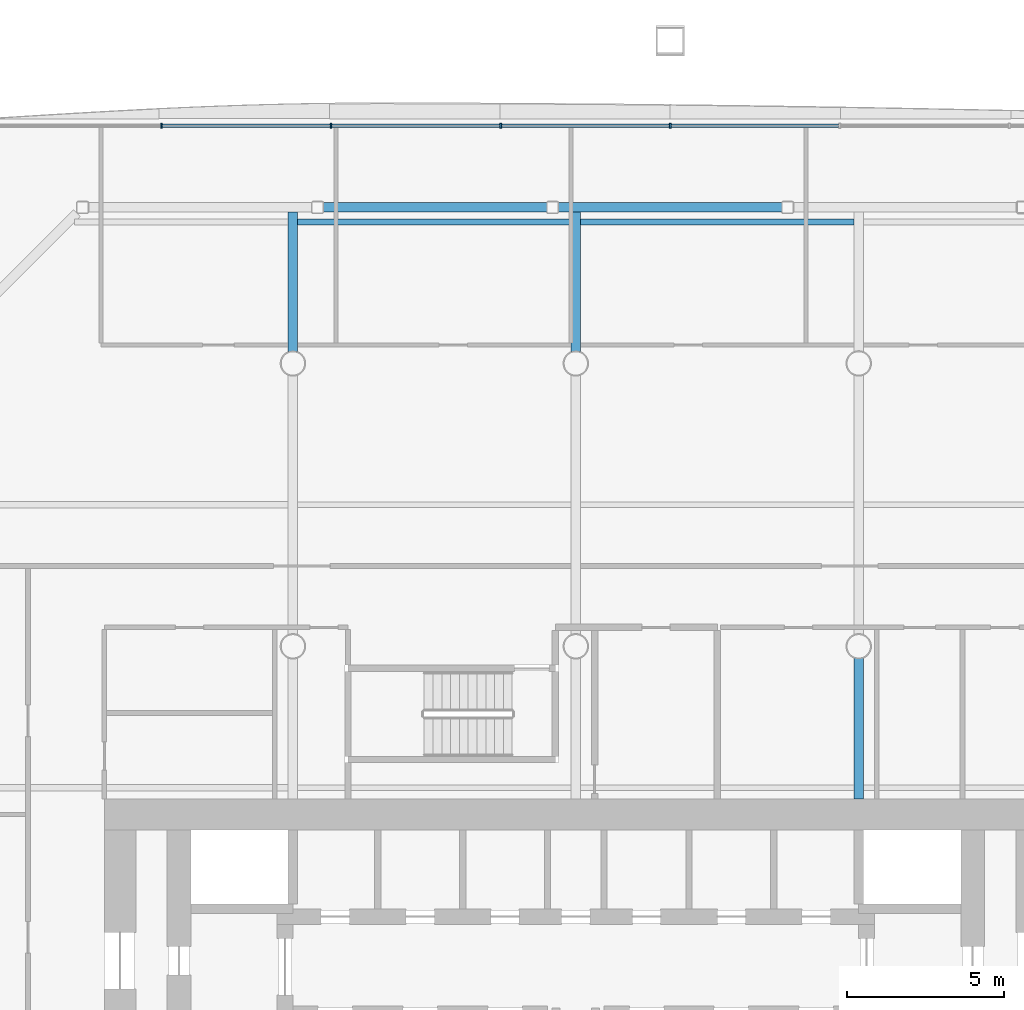
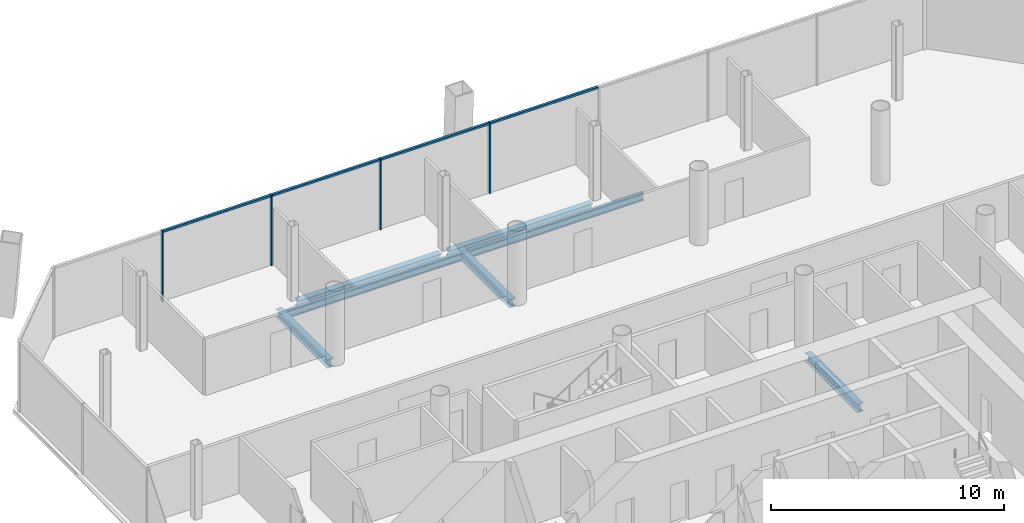
# One storey, part 9 of 20: 8 members, 7 beams, 1 element without a shape of its own.
"""IFC4 building model written with IfcOpenShell, lengths in metres."""

from ifc_helpers import new_model, si_unit, direction, frame, origin, origin_2d, place, context, subcontext, project, spatial, rectangle, i_section, extrude, material, material_profile, profile_set, type_object, element, aggregate, save


model = new_model("IFC4")

# Units and contexts
model_context = context("Model", 3, precision=1e-05, world=origin(), true_north=direction((0.0, 1.0)))
body_context = subcontext(model_context, "Body", "Model", "MODEL_VIEW")
ifc_project = project(units=[si_unit("LENGTHUNIT", "METRE"), si_unit("AREAUNIT", "SQUARE_METRE"), si_unit("VOLUMEUNIT", "CUBIC_METRE"), si_unit("PLANEANGLEUNIT", "RADIAN"), si_unit("MASSUNIT", "GRAM", prefix="KILO")], contexts=[model_context])

# Site, building, storey
site_placement = place(None, origin())
site = spatial("IfcSite", under=ifc_project, at=site_placement, CompositionType="ELEMENT")
building_placement = place(site_placement, origin())
building = spatial("IfcBuilding", under=site, at=building_placement, Name="Tskaro Facet Tower", CompositionType="ELEMENT")
storey_placement = place(building_placement, frame((0.0, 0.0, 69.89990234375)))
storey = spatial("IfcBuildingStorey", under=building, at=storey_placement, Name="L16", CompositionType="ELEMENT", Elevation=69.89990234375)

# Curtain wall, members
ifc_material_1 = material(Name="Bronze anodised aluminium 6063-T6", Category="aluminium")
curtain_wall_type = type_object("IfcCurtainWallType", Name="Bronze office curtain wall (FW1)", PredefinedType="NOTDEFINED", material=ifc_material_1)
curtain_wall_placement = place(storey_placement, origin())
curtain_wall = element("IfcCurtainWall", 1, at=curtain_wall_placement, inside=storey, type_object=curtain_wall_type, Name="FW1 north facet L16", PredefinedType="NOTDEFINED")
ifc_material_profile_1 = material_profile(ifc_material_1, rectangle(XDim=0.06005859375, YDim=0.159912109375, at=origin_2d()), Name="Mullion 60x160")
ifc_profile_set_1 = profile_set([ifc_material_profile_1], Name="Bronze anodised aluminium 6063-T6")
member_type_1 = type_object("IfcMemberType", Name="FW1 bronze mullion 60x160", PredefinedType="MULLION", material=ifc_profile_set_1)
member_1_placement = place(storey_placement, frame((3.0, 25.55908203125, 0.0), z_axis=(0.0, 0.0, 1.0), x_axis=(-1.0, 0.0, 0.0)))
member_1 = element("IfcMember", 2, at=member_1_placement, type_object=member_type_1, Name="FW1 north mullion 4", PredefinedType="MULLION", context=body_context, shape_type="SweptSolid", body=[
    extrude(rectangle(XDim=0.06005859375, YDim=0.159912109375, at=origin_2d()), origin(), (0.0, 0.0, 1.0), 3.7001953125),
])
member_2_placement = place(storey_placement, frame((-2.3935546875, 25.55908203125, 0.0), z_axis=(0.0, 0.0, 1.0), x_axis=(-1.0, 0.0, 0.0)))
member_2 = element("IfcMember", 3, at=member_2_placement, type_object=member_type_1, Name="FW1 north mullion 5", PredefinedType="MULLION", context=body_context, shape_type="SweptSolid", body=[
    extrude(rectangle(XDim=0.06005859375, YDim=0.159912109375, at=origin_2d()), origin(), (0.0, 0.0, 1.0), 3.7001953125),
])
member_3_placement = place(storey_placement, frame((-7.787109375, 25.55908203125, 0.0), z_axis=(0.0, 0.0, 1.0), x_axis=(-1.0, 0.0, 0.0)))
member_3 = element("IfcMember", 4, at=member_3_placement, type_object=member_type_1, Name="FW1 north mullion 6", PredefinedType="MULLION", context=body_context, shape_type="SweptSolid", body=[
    extrude(rectangle(XDim=0.06005859375, YDim=0.159912109375, at=origin_2d()), origin(), (0.0, 0.0, 1.0), 3.7001953125),
])
member_4_placement = place(storey_placement, frame((-13.180419921875, 25.55908203125, 0.0), z_axis=(0.0, 0.0, 1.0), x_axis=(-1.0, 0.0, 0.0)))
member_4 = element("IfcMember", 5, at=member_4_placement, type_object=member_type_1, Name="FW1 north mullion 7", PredefinedType="MULLION", context=body_context, shape_type="SweptSolid", body=[
    extrude(rectangle(XDim=0.06005859375, YDim=0.159912109375, at=origin_2d()), origin(), (0.0, 0.0, 1.0), 3.7001953125),
])
ifc_material_profile_2 = material_profile(ifc_material_1, rectangle(XDim=0.1201171875, YDim=0.10009765625, at=origin_2d()), Name="Transom 120x100")
ifc_profile_set_2 = profile_set([ifc_material_profile_2], Name="Bronze anodised aluminium 6063-T6")
member_type_2 = type_object("IfcMemberType", Name="FW1 bronze transom 120x100", PredefinedType="USERDEFINED", material=ifc_profile_set_2)
member_5_placement = place(storey_placement, frame((8.363525390625, 25.55908203125, 3.650146484375), z_axis=(-1.0, 0.0, 0.0), x_axis=(0.0, -1.0, 0.0)))
member_5 = element("IfcMember", 6, at=member_5_placement, type_object=member_type_2, Name="FW1 north transom 4.1", ObjectType="TRANSOM", PredefinedType="USERDEFINED", context=body_context, shape_type="SweptSolid", body=[
    extrude(rectangle(XDim=0.1201171875, YDim=0.10009765625, at=origin_2d()), origin(), (0.0, 0.0, 1.0), 5.33349609375),
])
member_6_placement = place(storey_placement, frame((2.969970703125, 25.55908203125, 3.650146484375), z_axis=(-1.0, 0.0, 0.0), x_axis=(0.0, -1.0, 0.0)))
member_6 = element("IfcMember", 7, at=member_6_placement, type_object=member_type_2, Name="FW1 north transom 5.1", ObjectType="TRANSOM", PredefinedType="USERDEFINED", context=body_context, shape_type="SweptSolid", body=[
    extrude(rectangle(XDim=0.1201171875, YDim=0.10009765625, at=origin_2d()), origin(), (0.0, 0.0, 1.0), 5.33349609375),
])
member_7_placement = place(storey_placement, frame((-2.423583984375, 25.55908203125, 3.650146484375), z_axis=(-1.0, 0.0, 0.0), x_axis=(0.0, -1.0, 0.0)))
member_7 = element("IfcMember", 8, at=member_7_placement, type_object=member_type_2, Name="FW1 north transom 6.1", ObjectType="TRANSOM", PredefinedType="USERDEFINED", context=body_context, shape_type="SweptSolid", body=[
    extrude(rectangle(XDim=0.1201171875, YDim=0.10009765625, at=origin_2d()), origin(), (0.0, 0.0, 1.0), 5.33349609375),
])
member_8_placement = place(storey_placement, frame((-7.81689453125, 25.55908203125, 3.650146484375), z_axis=(-1.0, 0.0, 0.0), x_axis=(0.0, -1.0, 0.0)))
member_8 = element("IfcMember", 9, at=member_8_placement, type_object=member_type_2, Name="FW1 north transom 7.1", ObjectType="TRANSOM", PredefinedType="USERDEFINED", context=body_context, shape_type="SweptSolid", body=[
    extrude(rectangle(XDim=0.1201171875, YDim=0.10009765625, at=origin_2d()), origin(), (0.0, 0.0, 1.0), 5.33349609375),
])
aggregate(curtain_wall, [member_1, member_2, member_3, member_4, member_5, member_6, member_7, member_8])

# Beams
ifc_material_2 = material(Name="Steel S355J2", Category="steel")
ifc_material_profile_3 = material_profile(ifc_material_2, i_section(OverallWidth=0.300048828125, OverallDepth=0.360107421875, WebThickness=0.012451171875, FlangeThickness=0.0224609375, FilletRadius=0.027099609375, at=origin_2d()), Name="HE 360 B")
ifc_profile_set_3 = profile_set([ifc_material_profile_3], Name="Steel S355J2")
beam_type_1 = type_object("IfcBeamType", Name="HE 360 B ring beam", PredefinedType="BEAM", material=ifc_profile_set_3)
beam_1_placement = place(storey_placement, frame((6.55810546875, 22.965087890625, -0.31982421875), z_axis=(-1.0, 0.0, 0.0), x_axis=(0.0, -1.0, 0.0)))
element("IfcBeam", 10, at=beam_1_placement, inside=storey, type_object=beam_type_1, Name="HE 360 B EB15-2", PredefinedType="BEAM", context=body_context, shape_type="SweptSolid", body=[
    extrude(i_section(OverallWidth=0.300048828125, OverallDepth=0.360107421875, WebThickness=0.012451171875, FlangeThickness=0.0224609375, FilletRadius=0.027099609375, at=origin_2d()), origin(), (0.0, 0.0, 1.0), 7.1162109375),
])
beam_2_placement = place(storey_placement, frame((-0.91796875, 22.965087890625, -0.31982421875), z_axis=(-1.0, 0.0, 0.0), x_axis=(0.0, -1.0, 0.0)))
element("IfcBeam", 11, at=beam_2_placement, inside=storey, type_object=beam_type_1, Name="HE 360 B EB16-2", PredefinedType="BEAM", context=body_context, shape_type="SweptSolid", body=[
    extrude(i_section(OverallWidth=0.300048828125, OverallDepth=0.360107421875, WebThickness=0.012451171875, FlangeThickness=0.0224609375, FilletRadius=0.027099609375, at=origin_2d()), origin(), (0.0, 0.0, 1.0), 7.115966796875),
])
ifc_material_profile_4 = material_profile(ifc_material_2, i_section(OverallWidth=0.300048828125, OverallDepth=0.43994140625, WebThickness=0.011474609375, FlangeThickness=0.02099609375, FilletRadius=0.027099609375, at=origin_2d()), Name="HE 450 A")
ifc_profile_set_4 = profile_set([ifc_material_profile_4], Name="Steel S355J2")
beam_type_2 = type_object("IfcBeamType", Name="HE 450 A girder", PredefinedType="BEAM", material=ifc_profile_set_4)
for number, where, z_axis, x_axis, name in (
    (12, (-9.0, 18.37646484375, -0.35986328125), (0.0, 1.0, 0.0), (-1.0, 0.0, 0.0), "HE 450 A GB3-5-2"),
    (13, (0.0, 18.37646484375, -0.35986328125), (0.0, 1.0, 0.0), (-1.0, 0.0, 0.0), "HE 450 A GB4-5-2"),
):
    element("IfcBeam", number, at=place(storey_placement, frame(where, z_axis=z_axis, x_axis=x_axis)), inside=storey, type_object=beam_type_2, Name=name, PredefinedType="BEAM", context=body_context, shape_type="SweptSolid", body=[
        extrude(i_section(OverallWidth=0.300048828125, OverallDepth=0.43994140625, WebThickness=0.011474609375, FlangeThickness=0.02099609375, FilletRadius=0.027099609375, at=origin_2d()), origin(), (0.0, 0.0, 1.0), 4.4384765625),
    ])
beam_3_placement = place(storey_placement, frame((9.0, 4.14990234375, -0.35986328125), z_axis=(0.0, 1.0, 0.0), x_axis=(-1.0, 0.0, 0.0)))
element("IfcBeam", 14, at=beam_3_placement, inside=storey, type_object=beam_type_2, Name="HE 450 A GB5-3-2", PredefinedType="BEAM", context=body_context, shape_type="SweptSolid", body=[
    extrude(i_section(OverallWidth=0.300048828125, OverallDepth=0.43994140625, WebThickness=0.011474609375, FlangeThickness=0.02099609375, FilletRadius=0.027099609375, at=origin_2d()), origin(), (0.0, 0.0, 1.0), 4.4736328125),
])
ifc_material_profile_5 = material_profile(ifc_material_2, i_section(OverallWidth=0.179931640625, OverallDepth=0.39990234375, WebThickness=0.008544921875, FlangeThickness=0.013427734375, FilletRadius=0.02099609375, at=origin_2d()), Name="IPE 400")
ifc_profile_set_5 = profile_set([ifc_material_profile_5], Name="Steel S355J2")
beam_type_3 = type_object("IfcBeamType", Name="IPE 400 secondary beam", PredefinedType="BEAM", material=ifc_profile_set_5)
for number, where, z_axis, x_axis, name in (
    (15, (-8.85009765625, 22.5, -0.33984375), (1.0, 0.0, 0.0), (0.0, 1.0, 0.0), "IPE 400 SB6a-2-2"),
    (16, (0.14990234375, 22.5, -0.33984375), (1.0, 0.0, 0.0), (0.0, 1.0, 0.0), "IPE 400 SB6a-3-2"),
):
    element("IfcBeam", number, at=place(storey_placement, frame(where, z_axis=z_axis, x_axis=x_axis)), inside=storey, type_object=beam_type_3, Name=name, PredefinedType="BEAM", context=body_context, shape_type="SweptSolid", body=[
        extrude(i_section(OverallWidth=0.179931640625, OverallDepth=0.39990234375, WebThickness=0.008544921875, FlangeThickness=0.013427734375, FilletRadius=0.02099609375, at=origin_2d()), origin(), (0.0, 0.0, 1.0), 8.7001953125),
    ])

save(model, "model.ifc")
